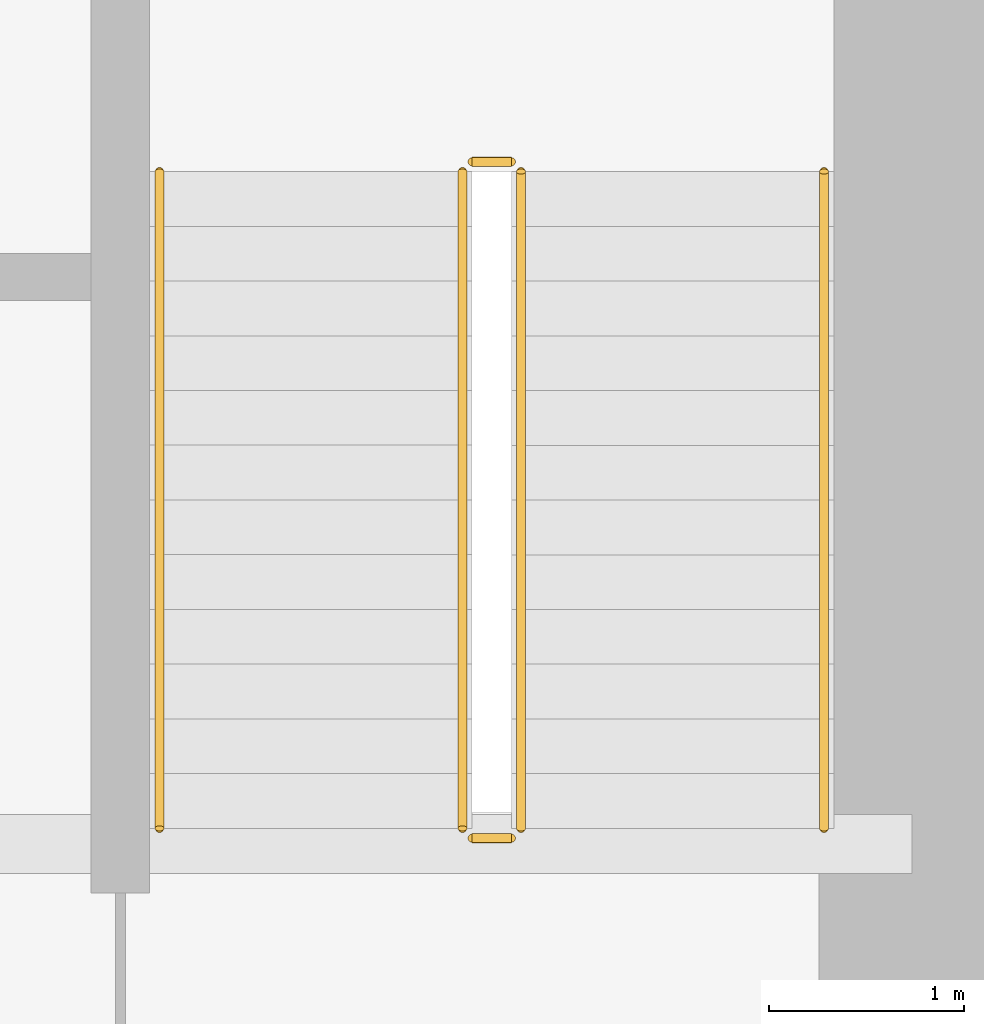
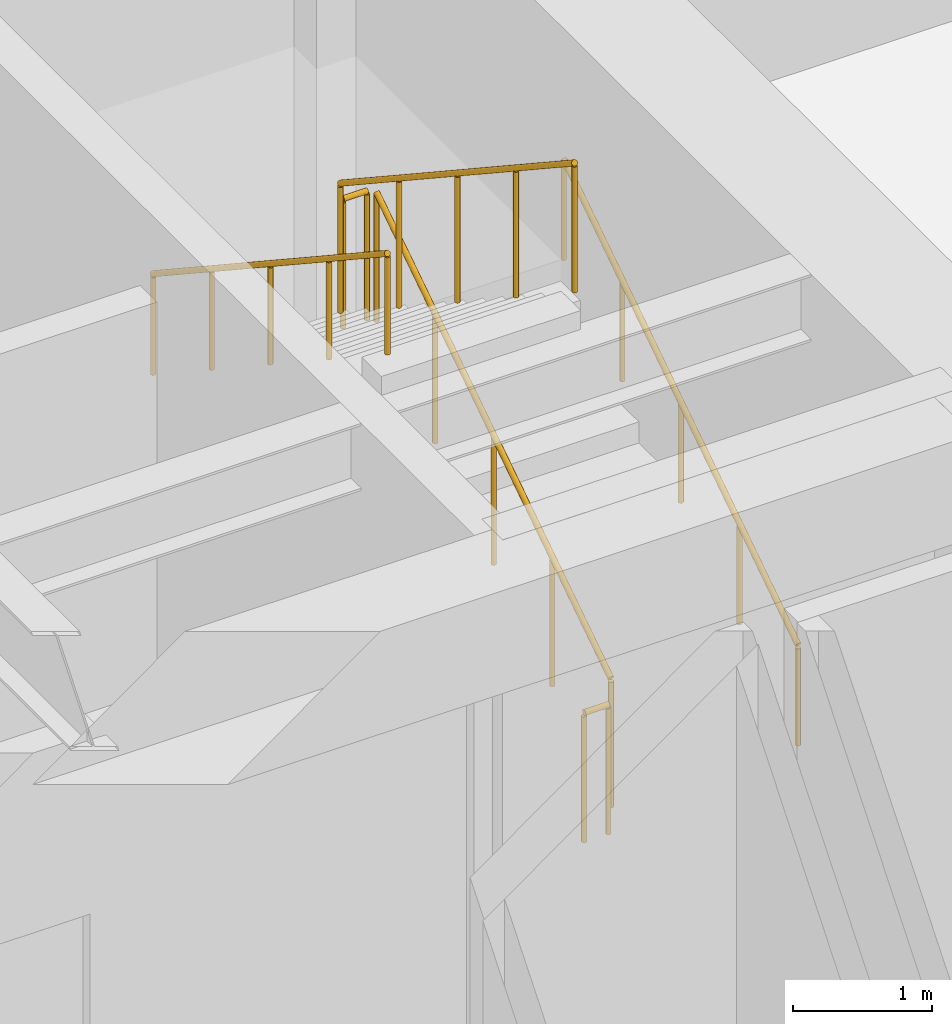
# One storey, part 32 of 32: 6 railings.
"""IFC4 building model written with IfcOpenShell, lengths in metres."""

from ifc_helpers import new_model, si_unit, direction, frame, origin, origin_2d, place, context, subcontext, project, spatial, circle, extrude, source, transform, mapped, material, type_object, type_shapes, element, save


model = new_model("IFC4")

# Units and contexts
model_context = context("Model", 3, precision=1e-05, world=origin(), true_north=direction((0.0, 1.0)))
body_context = subcontext(model_context, "Body", "Model", "MODEL_VIEW")
ifc_project = project(units=[si_unit("LENGTHUNIT", "METRE"), si_unit("AREAUNIT", "SQUARE_METRE"), si_unit("VOLUMEUNIT", "CUBIC_METRE"), si_unit("PLANEANGLEUNIT", "RADIAN"), si_unit("MASSUNIT", "GRAM", prefix="KILO")], contexts=[model_context])

# Site, building, storey
site_placement = place(None, origin())
site = spatial("IfcSite", under=ifc_project, at=site_placement, CompositionType="ELEMENT")
building_placement = place(site_placement, origin())
building = spatial("IfcBuilding", under=site, at=building_placement, Name="Haelvirn Gate Laboratories", CompositionType="ELEMENT")
storey_placement = place(building_placement, frame((0.0, 0.0, 5.39990234375)))
storey = spatial("IfcBuildingStorey", under=building, at=storey_placement, Name="L02", CompositionType="ELEMENT", Elevation=5.39990234375)

# Railings
ifc_material_1 = material(Name="Galvanised steel SM355 & stainless top rail", Category="steel")
railing_type_1 = type_object("IfcRailingType", Name="RL-GUARD-1150", PredefinedType="GUARDRAIL", material=ifc_material_1)
shared_shape_1 = source(origin(), body_context, "Body", "SweptSolid", [
    extrude(circle(Radius=0.02392578125, at=origin_2d()), frame((0.0, 0.0, 1.1259765625), z_axis=(0.0, 0.834876476806, 0.550437342915), x_axis=(-1.0, 0.0, 0.0)), (0.0, 0.0, 1.0), 4.024658203125),
    extrude(circle(Radius=0.02099609375, at=origin_2d()), origin(), (0.0, 0.0, 1.0), 1.101806640625),
    extrude(circle(Radius=0.02099609375, at=origin_2d()), frame((0.0, 0.840087890625, 0.5537109375)), (0.0, 0.0, 1.0), 1.101806640625),
    extrude(circle(Radius=0.02099609375, at=origin_2d()), frame((0.0, 1.68017578125, 1.107666015625)), (0.0, 0.0, 1.0), 1.101806640625),
    extrude(circle(Radius=0.02099609375, at=origin_2d()), frame((0.0, 2.52001953125, 1.66162109375)), (0.0, 0.0, 1.0), 1.101806640625),
    extrude(circle(Radius=0.02099609375, at=origin_2d()), frame((0.0, 3.360107421875, 2.21533203125)), (0.0, 0.0, 1.0), 1.101806640625),
])
railing_1_placement = place(storey_placement, frame((65.39990234375, 26.699951171875, 0.184814453125)))
element("IfcRailing", 1, at=railing_1_placement, inside=storey, type_object=railing_type_1, Name="L02 ST2 stair guard 1", PredefinedType="GUARDRAIL", context=body_context, shape_type="MappedRepresentation", body=[
    mapped(shared_shape_1, transform((0.0, 0.0, 0.0), scale=1.0)),
])
shared_shape_2 = source(origin(), body_context, "Body", "SweptSolid", [
    extrude(circle(Radius=0.02392578125, at=origin_2d()), frame((0.0, 0.0, 1.1259765625), z_axis=(0.0, -0.834876476806, 0.550437342915), x_axis=(1.0, 0.0, 0.0)), (0.0, 0.0, 1.0), 4.024658203125),
    extrude(circle(Radius=0.02099609375, at=origin_2d()), origin(), (0.0, 0.0, 1.0), 1.101806640625),
    extrude(circle(Radius=0.02099609375, at=origin_2d()), frame((0.0, -0.840087890625, 0.5537109375)), (0.0, 0.0, 1.0), 1.101806640625),
    extrude(circle(Radius=0.02099609375, at=origin_2d()), frame((0.0, -1.68017578125, 1.107666015625)), (0.0, 0.0, 1.0), 1.101806640625),
    extrude(circle(Radius=0.02099609375, at=origin_2d()), frame((0.0, -2.52001953125, 1.66162109375)), (0.0, 0.0, 1.0), 1.101806640625),
    extrude(circle(Radius=0.02099609375, at=origin_2d()), frame((0.0, -3.360107421875, 2.21533203125)), (0.0, 0.0, 1.0), 1.101806640625),
])
railing_2_placement = place(storey_placement, frame((65.10009765625, 30.06005859375, 2.584716796875)))
element("IfcRailing", 2, at=railing_2_placement, inside=storey, type_object=railing_type_1, Name="L02 ST2 stair guard 3", PredefinedType="GUARDRAIL", context=body_context, shape_type="MappedRepresentation", body=[
    mapped(shared_shape_2, transform((0.0, 0.0, 0.0), scale=1.0)),
])
ifc_material_2 = material(Name="Brushed stainless steel 316L", Category="steel")
railing_type_2 = type_object("IfcRailingType", Name="RL-HAND-920", PredefinedType="HANDRAIL", material=ifc_material_2)
shared_shape_3 = source(origin(), body_context, "Body", "SweptSolid", [
    extrude(circle(Radius=0.02392578125, at=origin_2d()), frame((0.0, 0.0, 0.8759765625), z_axis=(0.0, 0.834876476806, 0.550437342915), x_axis=(-1.0, 0.0, 0.0)), (0.0, 0.0, 1.0), 4.024658203125),
    extrude(circle(Radius=0.02099609375, at=origin_2d()), origin(), (0.0, 0.0, 1.0), 0.851806640625),
    extrude(circle(Radius=0.02099609375, at=origin_2d()), frame((0.0, 0.840087890625, 0.5537109375)), (0.0, 0.0, 1.0), 0.851806640625),
    extrude(circle(Radius=0.02099609375, at=origin_2d()), frame((0.0, 1.68017578125, 1.107666015625)), (0.0, 0.0, 1.0), 0.851806640625),
    extrude(circle(Radius=0.02099609375, at=origin_2d()), frame((0.0, 2.52001953125, 1.66162109375)), (0.0, 0.0, 1.0), 0.851806640625),
    extrude(circle(Radius=0.02099609375, at=origin_2d()), frame((0.0, 3.360107421875, 2.21533203125)), (0.0, 0.0, 1.0), 0.851806640625),
])
railing_3_placement = place(storey_placement, frame((66.949951171875, 26.699951171875, 0.184814453125)))
element("IfcRailing", 3, at=railing_3_placement, inside=storey, type_object=railing_type_2, Name="L02 ST2 stair handrail 1", PredefinedType="HANDRAIL", context=body_context, shape_type="MappedRepresentation", body=[
    mapped(shared_shape_3, transform((0.0, 0.0, 0.0), scale=1.0)),
])
shared_shape_4 = source(origin(), body_context, "Body", "SweptSolid", [
    extrude(circle(Radius=0.02392578125, at=origin_2d()), frame((0.0, 0.0, 0.8759765625), z_axis=(0.0, -0.834876476806, 0.550437342915), x_axis=(1.0, 0.0, 0.0)), (0.0, 0.0, 1.0), 4.024658203125),
    extrude(circle(Radius=0.02099609375, at=origin_2d()), origin(), (0.0, 0.0, 1.0), 0.851806640625),
    extrude(circle(Radius=0.02099609375, at=origin_2d()), frame((0.0, -0.840087890625, 0.5537109375)), (0.0, 0.0, 1.0), 0.851806640625),
    extrude(circle(Radius=0.02099609375, at=origin_2d()), frame((0.0, -1.68017578125, 1.107666015625)), (0.0, 0.0, 1.0), 0.851806640625),
    extrude(circle(Radius=0.02099609375, at=origin_2d()), frame((0.0, -2.52001953125, 1.66162109375)), (0.0, 0.0, 1.0), 0.851806640625),
    extrude(circle(Radius=0.02099609375, at=origin_2d()), frame((0.0, -3.360107421875, 2.21533203125)), (0.0, 0.0, 1.0), 0.851806640625),
])
type_shapes(railing_type_2, [shared_shape_3, shared_shape_4])
railing_4_placement = place(storey_placement, frame((63.550048828125, 30.06005859375, 2.584716796875)))
element("IfcRailing", 4, at=railing_4_placement, inside=storey, type_object=railing_type_2, Name="L02 ST2 stair handrail 2", PredefinedType="HANDRAIL", context=body_context, shape_type="MappedRepresentation", body=[
    mapped(shared_shape_4, transform((0.0, 0.0, 0.0), scale=1.0)),
])
shared_shape_5 = source(origin(), body_context, "Body", "SweptSolid", [
    extrude(circle(Radius=0.02392578125, at=origin_2d()), frame((0.0, 0.0, 1.1259765625), z_axis=(-1.0, 0.0, 0.0), x_axis=(0.0, -1.0, 0.0)), (0.0, 0.0, 1.0), 0.2001953125),
    extrude(circle(Radius=0.02099609375, at=origin_2d()), origin(), (0.0, 0.0, 1.0), 1.101806640625),
    extrude(circle(Radius=0.02099609375, at=origin_2d()), frame((-0.2001953125, 0.0, 0.0)), (0.0, 0.0, 1.0), 1.101806640625),
])
type_shapes(railing_type_1, [shared_shape_1, shared_shape_2, shared_shape_5])
for number, where, name in (
    (5, (65.35009765625, 30.110107421875, 2.400146484375), "L02 ST2 stair guard 2"),
    (6, (65.35009765625, 26.64990234375, 0.0), "L02 ST2 stair guard 4"),
):
    element("IfcRailing", number, at=place(storey_placement, frame(where)), inside=storey, type_object=railing_type_1, Name=name, PredefinedType="GUARDRAIL", context=body_context, shape_type="MappedRepresentation", body=[
        mapped(shared_shape_5, transform((0.0, 0.0, 0.0), scale=1.0)),
    ])

save(model, "model.ifc")
